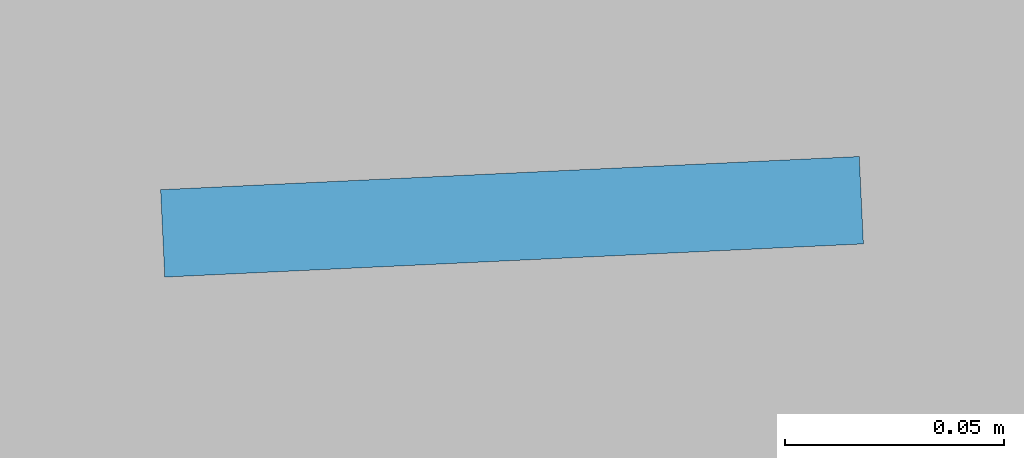
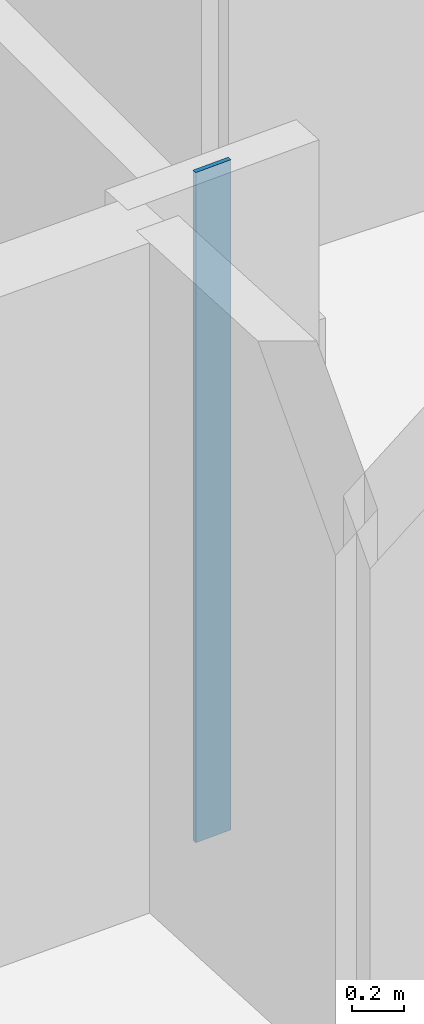
# One storey, part 3 of 17: 1 plate.
"""IFC4 building model written with IfcOpenShell, lengths in metres."""

import ifcopenshell
import ifcopenshell.guid

model = None  # the IFC model being written
_history = None  # IfcOwnerHistory: only IFC2X3 demands one
_inside = {}  # id of a spatial element -> (the spatial element, [elements in it])
_under = {}  # id of a project, library or spatial element -> (it, [spatial elements below it])
_declared = {}  # id of a project -> (the project, [libraries it declares])
_typed = {}  # id of a type object -> (the type object, [elements of that type])
_made_of = {}  # id of a material, layer set ... -> (it, [elements and type objects made of it])


def new_model(schema):
    """Start an empty IFC model of exactly this schema.

    Asked for "IFC4X3", IfcOpenShell would pick the latest addendum, in which some entities
    have other attributes; the version numbers below select the first issue.
    IFC2X3 requires an IfcOwnerHistory on every rooted entity: one is made here for all.
    """
    global model, _history
    if schema == "IFC4X3":
        model = ifcopenshell.file(schema_version=(4, 3, 0, 0))
    else:
        model = ifcopenshell.file(schema=schema)
    _inside.clear()
    _under.clear()
    _declared.clear()
    _typed.clear()
    _made_of.clear()
    _history = None
    if model.schema == "IFC2X3":
        org = make("IfcOrganization", Name="unknown")
        user = make(
            "IfcPersonAndOrganization",
            ThePerson=make("IfcPerson", FamilyName="unknown"),
            TheOrganization=org,
        )
        app = make(
            "IfcApplication",
            ApplicationDeveloper=org,
            Version="unknown",
            ApplicationFullName="unknown",
            ApplicationIdentifier="unknown",
        )
        _history = make(
            "IfcOwnerHistory",
            OwningUser=user,
            OwningApplication=app,
            ChangeAction="ADDED",
            CreationDate=0,
        )
    return model


def make(cls, **values):
    """One entity of the class cls with the attributes given. An attribute that is None is left unset."""
    return model.create_entity(
        cls, **{name: value for name, value in values.items() if value is not None}
    )


def rooted(cls, **values):
    """An entity with a GlobalId (a new one), such as an element, a storey or a relation."""
    return make(cls, GlobalId=ifcopenshell.guid.new(), OwnerHistory=_history, **values)


def si_unit(unit_type, name, prefix=None):
    """IfcSIUnit, for example si_unit("LENGTHUNIT", "METRE", prefix="MILLI")."""
    return make("IfcSIUnit", UnitType=unit_type, Prefix=prefix, Name=name)


def assignment(units):
    """IfcUnitAssignment: the units of a project."""
    return None if units is None else make("IfcUnitAssignment", Units=units)


def point(xyz):
    """IfcCartesianPoint."""
    return None if xyz is None else make("IfcCartesianPoint", Coordinates=xyz)


def direction(xyz):
    """IfcDirection."""
    return None if xyz is None else make("IfcDirection", DirectionRatios=xyz)


def frame(location, z_axis=None, x_axis=None):
    """IfcAxis2Placement3D, a coordinate frame: its origin and axes. An axis left out is left unset."""
    return make(
        "IfcAxis2Placement3D",
        Location=point(location),
        Axis=direction(z_axis),
        RefDirection=direction(x_axis),
    )


def frame_2d(location, x_axis=None):
    """IfcAxis2Placement2D, a coordinate frame in the plane: its origin and x axis."""
    return make(
        "IfcAxis2Placement2D", Location=point(location), RefDirection=direction(x_axis)
    )


def origin():
    """The frame at (0, 0, 0) with its axes left unset."""
    return frame((0.0, 0.0, 0.0))


def origin_2d():
    """The frame at (0, 0) in the plane with its x axis left unset."""
    return frame_2d((0.0, 0.0))


def place(relative_to, where):
    """IfcLocalPlacement: puts the frame where relative to a parent placement (None: the world)."""
    return make(
        "IfcLocalPlacement", PlacementRelTo=relative_to, RelativePlacement=where
    )


def context(
    kind, dimensions, precision=None, world=None, true_north=None, identifier=None
):
    """IfcGeometricRepresentationContext, for example the 3D "Model" context."""
    return make(
        "IfcGeometricRepresentationContext",
        ContextIdentifier=identifier,
        ContextType=kind,
        CoordinateSpaceDimension=dimensions,
        Precision=precision,
        WorldCoordinateSystem=world,
        TrueNorth=true_north,
    )


def subcontext(parent, identifier, kind, view, scale=None):
    """IfcGeometricRepresentationSubContext, for example "Body" below "Model"."""
    return make(
        "IfcGeometricRepresentationSubContext",
        ContextIdentifier=identifier,
        ContextType=kind,
        ParentContext=parent,
        TargetScale=scale,
        TargetView=view,
    )


def project(units=None, contexts=None):
    """IfcProject with its units and contexts."""
    return rooted(
        "IfcProject",
        Name="project",
        RepresentationContexts=contexts,
        UnitsInContext=assignment(units),
    )


def spatial(cls, under=None, at=None, **own):
    """A site, building, storey or space (cls), placed at a placement, below another one or the project."""
    s = rooted(cls, ObjectPlacement=at, **own)
    if under is not None:
        _under.setdefault(under.id(), (under, []))[1].append(s)
    return s


def profile(cls, at=None, kind="AREA", **sizes):
    """A parametric profile (cls). Its sizes go by their IFC names, for example OverallWidth=200.0."""
    return make(cls, ProfileType=kind, Position=at, **sizes)


def rectangle(**sizes):
    """IfcRectangleProfileDef."""
    return profile("IfcRectangleProfileDef", **sizes)


def extrude(swept, where, along, depth):
    """IfcExtrudedAreaSolid: the profile swept, set in the frame where, extruded along a direction by depth."""
    return make(
        "IfcExtrudedAreaSolid",
        SweptArea=swept,
        Position=where,
        ExtrudedDirection=direction(along),
        Depth=depth,
    )


def shape(context_of_items, identifier, shape_type, items):
    """IfcShapeRepresentation: the items that make up one representation, for example the "Body"."""
    return make(
        "IfcShapeRepresentation",
        ContextOfItems=context_of_items,
        RepresentationIdentifier=identifier,
        RepresentationType=shape_type,
        Items=items,
    )


def material(Name=None, Category=None):
    """IfcMaterial."""
    return make("IfcMaterial", Name=Name, Category=Category)


def layer(
    of_material, thickness, ventilated=None, Name=None, Category=None, Priority=None
):
    """IfcMaterialLayer: one layer of a wall or slab, of a material (None: an air gap)."""
    return make(
        "IfcMaterialLayer",
        Material=of_material,
        LayerThickness=thickness,
        IsVentilated=ventilated,
        Name=Name,
        Category=Category,
        Priority=Priority,
    )


def layer_set(layers, Name=None):
    """IfcMaterialLayerSet."""
    return make("IfcMaterialLayerSet", MaterialLayers=layers, LayerSetName=Name)


def made_of(thing, what):
    """Note that an element or type object is made of a material, layer set ...; save() writes the relation."""
    if what is not None:
        _made_of.setdefault(what.id(), (what, []))[1].append(thing)
    return thing


def type_object(cls, material=None, **own):
    """A type object (cls), such as IfcWallType, which elements share."""
    return made_of(rooted(cls, **own), material)


def element(
    cls,
    number,
    at=None,
    inside=None,
    cuts=None,
    type_object=None,
    material=None,
    context=None,
    identifier="Body",
    shape_type=None,
    held_by="IfcProductDefinitionShape",
    body=None,
    shapes=None,
    **own,
):
    """One element of the class cls, such as IfcWall. Its Tag is "e" and its number.

    at: its placement. inside: the storey or other place that contains it. cuts: it is an
    opening in that element (IfcRelVoidsElement). A single representation is given by context,
    identifier, shape_type and body (its items); several are given by shapes. held_by: the class
    of the entity that holds the representations. save() writes the other relations.
    """
    e = rooted(cls, Tag="e%d" % number, ObjectPlacement=at, **own)
    if body is not None:
        shapes = [shape(context, identifier, shape_type, body)]
    if shapes is not None:
        e.Representation = make(held_by, Representations=shapes)
    if inside is not None:
        _inside.setdefault(inside.id(), (inside, []))[1].append(e)
    if cuts is not None:
        rooted(
            "IfcRelVoidsElement", RelatingBuildingElement=cuts, RelatedOpeningElement=e
        )
    if type_object is not None:
        _typed.setdefault(type_object.id(), (type_object, []))[1].append(e)
    return made_of(e, material)


def aggregate(whole, parts):
    """IfcRelAggregates: a whole, such as a stair, and the parts it consists of."""
    return rooted("IfcRelAggregates", RelatingObject=whole, RelatedObjects=parts)


def save(model, path):
    """Write the relations noted so far, then the file.

    IfcRelAggregates (storeys below a building ...), IfcRelContainedInSpatialStructure (elements
    in a storey), IfcRelDefinesByType, IfcRelAssociatesMaterial and IfcRelDeclares: one each for
    every whole, place, type object, material and project.
    """
    for whole, parts in _under.values():
        aggregate(whole, parts)
    for where, things in _inside.values():
        rooted(
            "IfcRelContainedInSpatialStructure",
            RelatedElements=things,
            RelatingStructure=where,
        )
    for kind, things in _typed.values():
        rooted("IfcRelDefinesByType", RelatedObjects=things, RelatingType=kind)
    for what, things in _made_of.values():
        rooted("IfcRelAssociatesMaterial", RelatedObjects=things, RelatingMaterial=what)
    for by, libraries in _declared.values():
        rooted("IfcRelDeclares", RelatingContext=by, RelatedDefinitions=libraries)
    model.write(path)


model = new_model("IFC4")

# Units and contexts
model_context = context("Model", 3, precision=1e-05, world=origin(), true_north=direction((0.0, 1.0)))
body_context = subcontext(model_context, "Body", "Model", "MODEL_VIEW")
ifc_project = project(units=[si_unit("LENGTHUNIT", "METRE"), si_unit("AREAUNIT", "SQUARE_METRE"), si_unit("VOLUMEUNIT", "CUBIC_METRE"), si_unit("PLANEANGLEUNIT", "RADIAN"), si_unit("MASSUNIT", "GRAM", prefix="KILO")], contexts=[model_context])

# Site, building, storey
site_placement = place(None, origin())
site = spatial("IfcSite", under=ifc_project, at=site_placement, CompositionType="ELEMENT")
building_placement = place(site_placement, origin())
building = spatial("IfcBuilding", under=site, at=building_placement, Name="Miruveldt Soraemaru", CompositionType="ELEMENT")
storey_placement = place(building_placement, frame((0.0, 0.0, 29.199951171875)))
storey = spatial("IfcBuildingStorey", under=building, at=storey_placement, Name="L07", CompositionType="ELEMENT", Elevation=29.199951171875)

# Plate
ifc_material = material(Name="Anodised aluminium EN AW-6063 T6", Category="aluminium")
ifc_layer = layer(ifc_material, 0.02001953125, Name="Anodised aluminium EN AW-6063 T6", Category="aluminium")
ifc_layer_set = layer_set([ifc_layer], Name="Anodised aluminium EN AW-6063 T6")
plate_type = type_object("IfcPlateType", Name="PLT-PART-TRIM", PredefinedType="SHEET", material=ifc_layer_set)
plate_placement = place(storey_placement, frame((45.56396484375, 22.37939453125, 0.0), z_axis=(0.0, 0.0, 1.0), x_axis=(-0.998873370853, -0.047455126176, 0.0)))
element("IfcPlate", 1, at=plate_placement, inside=storey, type_object=plate_type, Name="L07 Partition Step Corner Trim Plate 002", PredefinedType="SHEET", context=body_context, shape_type="SweptSolid", body=[
    extrude(rectangle(XDim=0.159912109375, YDim=0.02001953125, at=origin_2d()), origin(), (0.0, 0.0, 1.0), 3.125),
])

save(model, "model.ifc")
